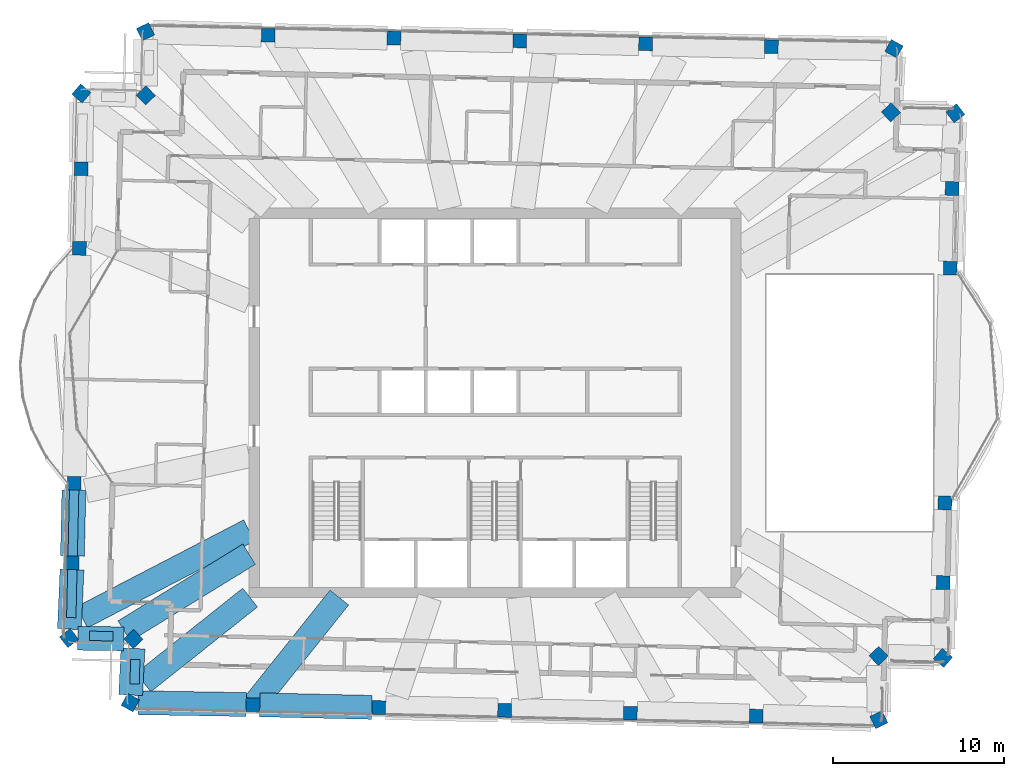
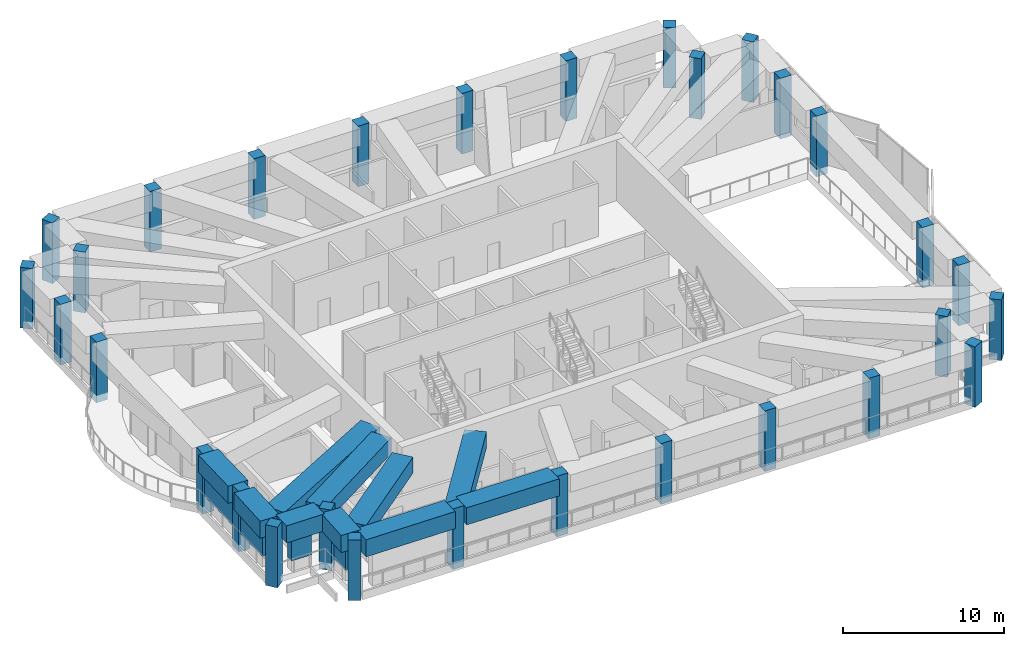
# One storey, part 1 of 19: 30 columns, 10 beams, 3 members.
"""IFC4 building model written with IfcOpenShell, lengths in metres."""

from ifc_helpers import new_model, si_unit, direction, frame, origin, origin_2d, place, context, subcontext, project, spatial, rectangle, extrude, material, material_profile, profile_set, type_object, element, save


model = new_model("IFC4")

# Units and contexts
model_context = context("Model", 3, precision=1e-05, world=origin(), true_north=direction((0.0, 1.0)))
body_context = subcontext(model_context, "Body", "Model", "MODEL_VIEW")
ifc_project = project(units=[si_unit("LENGTHUNIT", "METRE"), si_unit("AREAUNIT", "SQUARE_METRE"), si_unit("VOLUMEUNIT", "CUBIC_METRE"), si_unit("PLANEANGLEUNIT", "RADIAN"), si_unit("MASSUNIT", "GRAM", prefix="KILO")], contexts=[model_context])

# Site, building, storey
site_placement = place(None, origin())
site = spatial("IfcSite", under=ifc_project, at=site_placement, CompositionType="ELEMENT")
building_placement = place(site_placement, origin())
building = spatial("IfcBuilding", under=site, at=building_placement, Name="Mangrove Gate Tower", CompositionType="ELEMENT")
storey_placement = place(building_placement, frame((0.0, 0.0, 346.10009765625)))
storey = spatial("IfcBuildingStorey", under=building, at=storey_placement, Name="L88", CompositionType="ELEMENT", Elevation=346.10009765625)

# Columns
ifc_material_1 = material(Name="Concrete C50/60", Category="concrete")
ifc_material_profile_1 = material_profile(ifc_material_1, rectangle(XDim=0.800048828125, YDim=0.800048828125, at=origin_2d()))
ifc_profile_set_1 = profile_set([ifc_material_profile_1], Name="Concrete C50/60")
column_type = type_object("IfcColumnType", Name="Column RC 800x800 C50/60", PredefinedType="COLUMN", material=ifc_profile_set_1)
for number, where, z_axis, x_axis, name in (
    (1, (-24.650146484375, -4.7041015625, -0.550048828125), (0.0, 0.0, 1.0), (-0.022701659035, -0.99974228413, 0.0), "Column L88 W05"),
    (2, (-24.756103515625, -9.364990234375, -0.550048828125), (0.0, 0.0, 1.0), (-0.022736015698, -0.999741503385, 0.0), "Column L88 W06"),
    (3, (-24.9462890625, -13.771484375, -0.550048828125), (0.0, 0.0, 1.0), (0.614032698242, -0.7892805873, 0.0), "Column L88 W07"),
    (4, (-21.173828125, -13.82666015625, -0.550048828125), (0.0, 0.0, 1.0), (0.690922611457, -0.722928727453, 0.0), "Column L88 W08"),
    (5, (-21.357666015625, -17.55078125, -0.550048828125), (0.0, 0.0, 1.0), (0.878066091941, -0.478539379971, 0.0), "Column L88 S01"),
    (6, (-14.1748046875, -17.670166015625, -0.550048828125), (0.0, 0.0, 1.0), (0.999741485131, -0.022736818342, 0.0), "Column L88 S02"),
    (7, (-6.809814453125, -17.837158203125, -0.550048828125), (0.0, 0.0, 1.0), (0.999743025318, -0.02266899488, 0.0), "Column L88 S03"),
    (8, (0.55517578125, -18.004150390625, -0.550048828125), (0.0, 0.0, 1.0), (0.999742990499, -0.022670530375, 0.0), "Column L88 S04"),
    (9, (7.919189453125, -18.171142578125, -0.550048828125), (0.0, 0.0, 1.0), (0.999742990499, -0.022670530375, 0.0), "Column L88 S05"),
    (10, (15.2841796875, -18.338134765625, -0.550048828125), (0.0, 0.0, 1.0), (0.999743025318, -0.02266899488, 0.0), "Column L88 S06"),
    (11, (22.46484375, -18.54541015625, -0.550048828125), (0.0, 0.0, 1.0), (0.898893631723, 0.438166907522, 0.0), "Column L88 E01"),
    (12, (22.44970703125, -14.81689453125, -0.550048828125), (0.0, 0.0, 1.0), (0.722928727453, 0.690922611457, 0.0), "Column L88 E02"),
    (13, (26.220703125, -14.932373046875, -0.550048828125), (0.0, 0.0, 1.0), (0.649215459929, 0.760604553358, 0.0), "Column L88 E03"),
    (14, (26.231201171875, -10.52197265625, -0.550048828125), (0.0, 0.0, 1.0), (0.022736015698, 0.999741503385, 0.0), "Column L88 E04"),
    (15, (26.337158203125, -5.86083984375, -0.550048828125), (0.0, 0.0, 1.0), (0.022701659035, 0.99974228413, 0.0), "Column L88 E05"),
    (16, (26.649169921875, 7.885986328125, -0.550048828125), (0.0, 0.0, 1.0), (0.022647375802, 0.999743515292, 0.0), "Column L88 E06"),
    (17, (26.754150390625, 12.547119140625, -0.550048828125), (0.0, 0.0, 1.0), (0.022628827707, 0.999743935294, 0.0), "Column L88 E07"),
    (18, (26.9443359375, 16.953369140625, -0.550048828125), (0.0, 0.0, 1.0), (-0.614032698242, 0.7892805873, 0.0), "Column L88 E08"),
    (19, (23.171875, 17.008544921875, -0.550048828125), (0.0, 0.0, 1.0), (-0.690922611457, 0.722928727453, 0.0), "Column L88 E09"),
    (20, (23.35546875, 20.732666015625, -0.550048828125), (0.0, 0.0, 1.0), (-0.878038461771, 0.478590074751, 0.0), "Column L88 E10"),
    (21, (16.173828125, 20.85205078125, -0.550048828125), (0.0, 0.0, 1.0), (-0.999741449812, 0.022738371284, 0.0), "Column L88 N01"),
    (22, (8.808837890625, 21.01904296875, -0.550048828125), (0.0, 0.0, 1.0), (-0.999743025318, 0.02266899488, 0.0), "Column L88 N02"),
    (23, (1.44384765625, 21.18603515625, -0.550048828125), (0.0, 0.0, 1.0), (-0.999743025318, 0.02266899488, 0.0), "Column L88 N03"),
    (24, (-5.921142578125, 21.35302734375, -0.550048828125), (0.0, 0.0, 1.0), (-0.999742990499, 0.022670530375, 0.0), "Column L88 N04"),
    (25, (-13.28515625, 21.52001953125, -0.550048828125), (0.0, 0.0, 1.0), (-0.999742990499, 0.022670530375, 0.0), "Column L88 N05"),
    (26, (-20.4658203125, 21.7275390625, -0.550048828125), (0.0, 0.0, 1.0), (-0.898893631723, -0.438166907522, 0.0), "Column L88 N06"),
    (27, (-20.45068359375, 17.998779296875, -0.550048828125), (0.0, 0.0, 1.0), (-0.722928727453, -0.690922611457, 0.0), "Column L88 W01"),
    (28, (-24.2216796875, 18.1142578125, -0.550048828125), (0.0, 0.0, 1.0), (-0.649215459929, -0.760604553358, 0.0), "Column L88 W02"),
    (29, (-24.232177734375, 13.703857421875, -0.550048828125), (0.0, 0.0, 1.0), (-0.022736015698, -0.999741503385, 0.0), "Column L88 W03"),
    (30, (-24.338134765625, 9.04296875, -0.550048828125), (0.0, 0.0, 1.0), (-0.022701659035, -0.99974228413, 0.0), "Column L88 W04"),
):
    element("IfcColumn", number, at=place(storey_placement, frame(where, z_axis=z_axis, x_axis=x_axis)), inside=storey, type_object=column_type, Name=name, PredefinedType="COLUMN", context=body_context, shape_type="SweptSolid", body=[
        extrude(rectangle(XDim=0.800048828125, YDim=0.800048828125, at=origin_2d()), origin(), (0.0, 0.0, 1.0), 4.599853515625),
    ])

# Members
ifc_material_2 = material(Name="Planting on aluminium trellis", Category="aluminium")
ifc_material_profile_2 = material_profile(ifc_material_2, rectangle(XDim=0.550048828125, YDim=1.800048828125, at=origin_2d()))
ifc_profile_set_2 = profile_set([ifc_material_profile_2], Name="Planting on aluminium trellis")
member_type = type_object("IfcMemberType", Name="Roof greenery screen 550x1800", PredefinedType="USERDEFINED", material=ifc_profile_set_2)
member_1_placement = place(storey_placement, frame((-21.10107421875, -16.4619140625, 1.699951171875), z_axis=(0.022250691026, 0.999752422727, 0.0), x_axis=(-0.999752422727, 0.022250691026, 0.0)))
element("IfcMember", 31, at=member_1_placement, inside=storey, type_object=member_type, Name="GREEN SCREEN L88 T3.7.6", ObjectType="PLANTING", PredefinedType="USERDEFINED", context=body_context, shape_type="SweptSolid", body=[
    extrude(rectangle(XDim=0.550048828125, YDim=1.800048828125, at=origin_2d()), origin(), (0.0, 0.0, 1.0), 1.437255859375),
])
member_2_placement = place(storey_placement, frame((-22.364990234375, -13.66796875, 1.699951171875), z_axis=(-0.999750215708, 0.022349635169, 0.0), x_axis=(-0.022349635169, -0.999750215708, 0.0)))
element("IfcMember", 32, at=member_2_placement, inside=storey, type_object=member_type, Name="GREEN SCREEN L88 T3.7.9", ObjectType="PLANTING", PredefinedType="USERDEFINED", context=body_context, shape_type="SweptSolid", body=[
    extrude(rectangle(XDim=0.550048828125, YDim=1.800048828125, at=origin_2d()), origin(), (0.0, 0.0, 1.0), 1.38720703125),
])
member_3_placement = place(storey_placement, frame((-24.81298828125, -12.576904296875, 1.699951171875), z_axis=(0.022620263121, 0.999744129113, 0.0), x_axis=(-0.999744129113, 0.022620263121, 0.0)))
element("IfcMember", 33, at=member_3_placement, inside=storey, type_object=member_type, Name="GREEN SCREEN L88 T3.8.6", ObjectType="PLANTING", PredefinedType="USERDEFINED", context=body_context, shape_type="SweptSolid", body=[
    extrude(rectangle(XDim=0.550048828125, YDim=1.800048828125, at=origin_2d()), origin(), (0.0, 0.0, 1.0), 7.511962890625),
])

# Beams
ifc_material_3 = material(Name="Concrete C50/60", Category="concrete")
ifc_material_profile_3 = material_profile(ifc_material_3, rectangle(XDim=1.39990234375, YDim=1.199951171875, at=origin_2d()))
ifc_profile_set_3 = profile_set([ifc_material_profile_3], Name="Concrete C50/60")
beam_type_1 = type_object("IfcBeamType", Name="Transfer girder RC 1400x1200 C50/60", PredefinedType="BEAM", material=ifc_profile_set_3)
beam_1_placement = place(storey_placement, frame((-14.39990234375, -7.474365234375, 3.449951171875), z_axis=(-0.887564360374, -0.460683737713, 0.0), x_axis=(0.460683737713, -0.887564360374, 0.0)))
element("IfcBeam", 34, at=beam_1_placement, inside=storey, type_object=beam_type_1, Name="Transfer girder L88 01", PredefinedType="BEAM", context=body_context, shape_type="SweptSolid", body=[
    extrude(rectangle(XDim=1.39990234375, YDim=1.199951171875, at=origin_2d()), origin(), (0.0, 0.0, 1.0), 11.021484375),
])
beam_2_placement = place(storey_placement, frame((-14.39990234375, -8.859130859375, 3.449951171875), z_axis=(-0.851715923568, -0.524003802983, 0.0), x_axis=(0.524003802983, -0.851715923568, 0.0)))
element("IfcBeam", 35, at=beam_2_placement, inside=storey, type_object=beam_type_1, Name="Transfer girder L88 02", PredefinedType="BEAM", context=body_context, shape_type="SweptSolid", body=[
    extrude(rectangle(XDim=1.39990234375, YDim=1.199951171875, at=origin_2d()), origin(), (0.0, 0.0, 1.0), 8.58447265625),
])
beam_3_placement = place(storey_placement, frame((-14.343017578125, -11.39990234375, 3.449951171875), z_axis=(-0.782831276555, -0.622234033502, 0.0), x_axis=(0.622234033502, -0.782831276555, 0.0)))
element("IfcBeam", 36, at=beam_3_placement, inside=storey, type_object=beam_type_1, Name="Transfer girder L88 03", PredefinedType="BEAM", context=body_context, shape_type="SweptSolid", body=[
    extrude(rectangle(XDim=1.39990234375, YDim=1.199951171875, at=origin_2d()), origin(), (0.0, 0.0, 1.0), 7.982666015625),
])
beam_4_placement = place(storey_placement, frame((-9.1181640625, -11.39990234375, 3.449951171875), z_axis=(-0.624609769834, -0.780937023983, 0.0), x_axis=(0.780937023983, -0.624609769834, 0.0)))
element("IfcBeam", 37, at=beam_4_placement, inside=storey, type_object=beam_type_1, Name="Transfer girder L88 04", PredefinedType="BEAM", context=body_context, shape_type="SweptSolid", body=[
    extrude(rectangle(XDim=1.39990234375, YDim=1.199951171875, at=origin_2d()), origin(), (0.0, 0.0, 1.0), 8.030517578125),
])
ifc_material_4 = material(Name="Concrete C50/60", Category="concrete")
ifc_material_profile_4 = material_profile(ifc_material_4, rectangle(XDim=1.39990234375, YDim=1.300048828125, at=origin_2d()))
ifc_profile_set_4 = profile_set([ifc_material_profile_4], Name="Concrete C50/60")
beam_type_2 = type_object("IfcBeamType", Name="Transfer girder RC 1400x1300 C50/60", PredefinedType="BEAM", material=ifc_profile_set_4)
beam_5_placement = place(storey_placement, frame((-24.6591796875, -5.10400390625, 3.39990234375), z_axis=(-0.022757304258, -0.999741019016, 0.0), x_axis=(0.999741019016, -0.022757304258, 0.0)))
element("IfcBeam", 38, at=beam_5_placement, inside=storey, type_object=beam_type_2, Name="Transfer ring girder L88 00", PredefinedType="BEAM", context=body_context, shape_type="SweptSolid", body=[
    extrude(rectangle(XDim=1.39990234375, YDim=1.300048828125, at=origin_2d()), origin(), (0.0, 0.0, 1.0), 3.862060546875),
])
beam_6_placement = place(storey_placement, frame((-24.7734375, -9.764892578125, 3.39990234375), z_axis=(-0.043078531084, -0.999071689199, 0.0), x_axis=(0.999071689199, -0.043078531084, 0.0)))
element("IfcBeam", 39, at=beam_6_placement, inside=storey, type_object=beam_type_2, Name="Transfer ring girder L88 01", PredefinedType="BEAM", context=body_context, shape_type="SweptSolid", body=[
    extrude(rectangle(XDim=1.39990234375, YDim=1.300048828125, at=origin_2d()), origin(), (0.0, 0.0, 1.0), 3.4853515625),
])
beam_7_placement = place(storey_placement, frame((-24.43359375, -13.77880859375, 3.39990234375), z_axis=(0.999892608544, -0.014655080303, 0.0), x_axis=(0.014655080303, 0.999892608544, 0.0)))
element("IfcBeam", 40, at=beam_7_placement, inside=storey, type_object=beam_type_2, Name="Transfer ring girder L88 02", PredefinedType="BEAM", context=body_context, shape_type="SweptSolid", body=[
    extrude(rectangle(XDim=1.39990234375, YDim=1.300048828125, at=origin_2d()), origin(), (0.0, 0.0, 1.0), 2.69873046875),
])
beam_8_placement = place(storey_placement, frame((-21.200927734375, -14.377197265625, 3.39990234375), z_axis=(-0.049305011635, -0.998783768304, 0.0), x_axis=(0.998783768304, -0.049305011635, 0.0)))
element("IfcBeam", 41, at=beam_8_placement, inside=storey, type_object=beam_type_2, Name="Transfer ring girder L88 03", PredefinedType="BEAM", context=body_context, shape_type="SweptSolid", body=[
    extrude(rectangle(XDim=1.39990234375, YDim=1.300048828125, at=origin_2d()), origin(), (0.0, 0.0, 1.0), 2.7333984375),
])
beam_9_placement = place(storey_placement, frame((-20.906005859375, -17.558349609375, 3.39990234375), z_axis=(0.999861909897, -0.016618096682, 0.0), x_axis=(0.016618096682, 0.999861909897, 0.0)))
element("IfcBeam", 42, at=beam_9_placement, inside=storey, type_object=beam_type_2, Name="Transfer ring girder L88 04", PredefinedType="BEAM", context=body_context, shape_type="SweptSolid", body=[
    extrude(rectangle(XDim=1.39990234375, YDim=1.300048828125, at=origin_2d()), origin(), (0.0, 0.0, 1.0), 6.33203125),
])
beam_10_placement = place(storey_placement, frame((-13.77490234375, -17.67919921875, 3.39990234375), z_axis=(0.99974281348, -0.022678335362, 0.0), x_axis=(0.022678335362, 0.99974281348, 0.0)))
element("IfcBeam", 43, at=beam_10_placement, inside=storey, type_object=beam_type_2, Name="Transfer ring girder L88 05", PredefinedType="BEAM", context=body_context, shape_type="SweptSolid", body=[
    extrude(rectangle(XDim=1.39990234375, YDim=1.300048828125, at=origin_2d()), origin(), (0.0, 0.0, 1.0), 6.56689453125),
])

save(model, "model.ifc")
